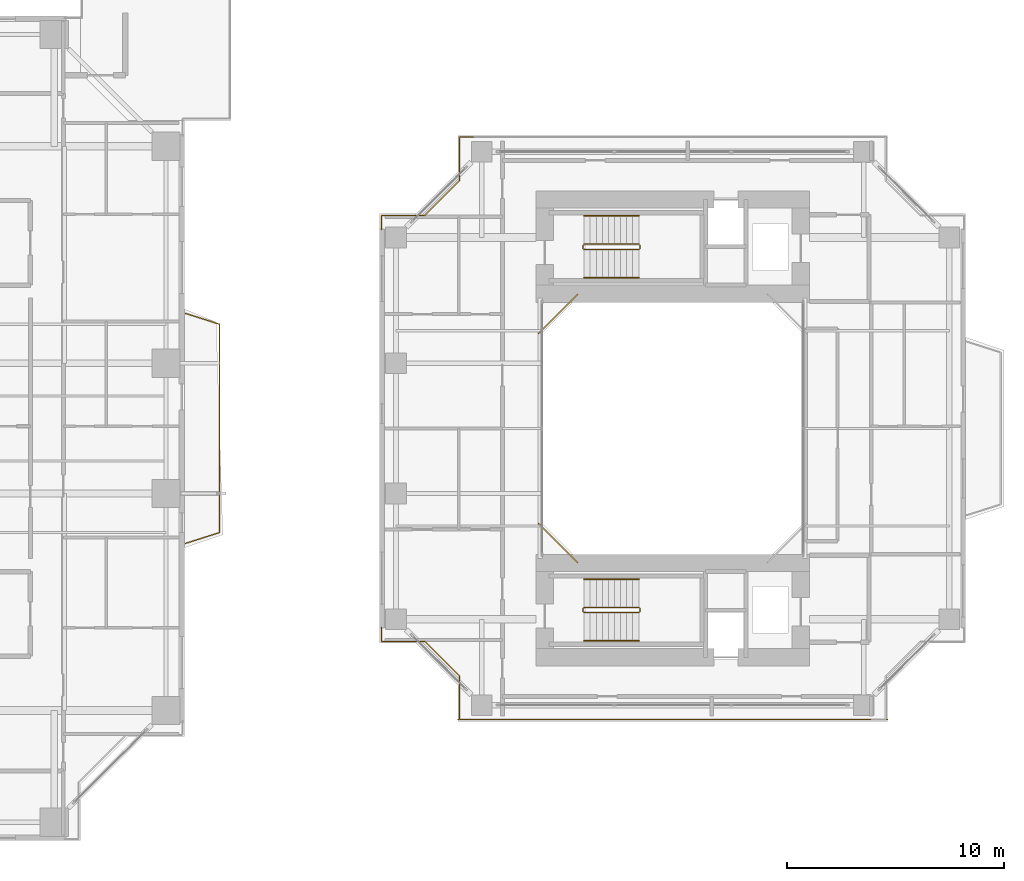
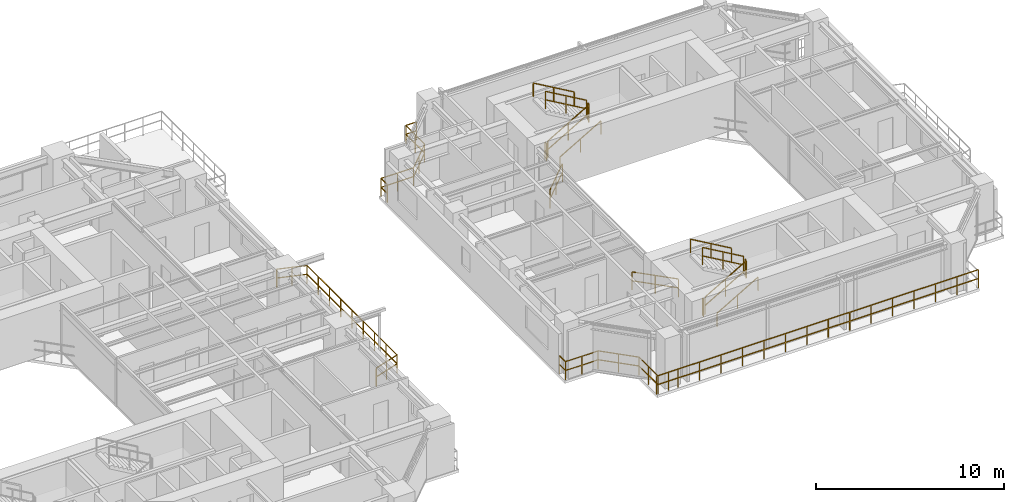
# One storey, part 22 of 23: 18 railings.
"""IFC4 building model written with IfcOpenShell, lengths in metres."""

from ifc_helpers import new_model, si_unit, direction, frame, origin, origin_2d, place, context, subcontext, project, spatial, rectangle, extrude, material, type_object, element, save


model = new_model("IFC4")

# Units and contexts
model_context = context("Model", 3, precision=1e-05, world=origin(), true_north=direction((0.0, 1.0)))
body_context = subcontext(model_context, "Body", "Model", "MODEL_VIEW")
ifc_project = project(units=[si_unit("LENGTHUNIT", "METRE"), si_unit("AREAUNIT", "SQUARE_METRE"), si_unit("VOLUMEUNIT", "CUBIC_METRE"), si_unit("PLANEANGLEUNIT", "RADIAN"), si_unit("MASSUNIT", "GRAM", prefix="KILO"), si_unit("THERMODYNAMICTEMPERATUREUNIT", "KELVIN"), si_unit("POWERUNIT", "WATT")], contexts=[model_context])

# Site, building, storey
site_placement = place(None, origin())
site = spatial("IfcSite", under=ifc_project, at=site_placement, CompositionType="ELEMENT")
building_placement = place(site_placement, origin())
building = spatial("IfcBuilding", under=site, at=building_placement, Name="Qiaomeng Ring Towers", CompositionType="ELEMENT")
storey_placement = place(building_placement, frame((0.0, 0.0, 32.75)))
storey = spatial("IfcBuildingStorey", under=building, at=storey_placement, Name="L08", CompositionType="ELEMENT", Elevation=32.75)

# Railings
ifc_material_1 = material(Name="Low-E pale-green laminated safety glass", Category="glass")
railing_type_1 = type_object("IfcRailingType", Name="ARC-RL-BAL1", PredefinedType="BALUSTRADE", material=ifc_material_1)
railing_1_placement = place(storey_placement, frame((38.050048828125, 17.699951171875, 0.0)))
element("IfcRailing", 1, at=railing_1_placement, inside=storey, type_object=railing_type_1, Name="L08 Balustrade ARC-BAL-L08-T1-E", PredefinedType="BALUSTRADE", context=body_context, shape_type="SweptSolid", body=[
    extrude(rectangle(XDim=0.048095703125, YDim=0.048095703125, at=origin_2d()), frame((0.0, 0.0, 1.17578125), z_axis=(0.952849860715, 0.303442157479, 0.0), x_axis=(-0.303442157479, 0.952849860715, 0.0)), (0.0, 0.0, 1.0), 1.647705078125),
    extrude(rectangle(XDim=0.048095703125, YDim=0.048095703125, at=origin_2d()), frame((0.0, 0.0, 0.60009765625), z_axis=(0.952849860715, 0.303442157479, 0.0), x_axis=(-0.303442157479, 0.952849860715, 0.0)), (0.0, 0.0, 1.0), 1.647705078125),
    extrude(rectangle(XDim=0.048095703125, YDim=0.048095703125, at=origin_2d()), frame((1.570068359375, 0.5, 1.17578125), z_axis=(0.0, 1.0, 0.0), x_axis=(-1.0, 0.0, 0.0)), (0.0, 0.0, 1.0), 9.60009765625),
    extrude(rectangle(XDim=0.048095703125, YDim=0.048095703125, at=origin_2d()), frame((1.570068359375, 0.5, 0.60009765625), z_axis=(0.0, 1.0, 0.0), x_axis=(-1.0, 0.0, 0.0)), (0.0, 0.0, 1.0), 9.60009765625),
    extrude(rectangle(XDim=0.048095703125, YDim=0.048095703125, at=origin_2d()), frame((1.570068359375, 10.10009765625, 1.17578125), z_axis=(-0.952849860715, 0.303442157479, 0.0), x_axis=(-0.303442157479, -0.952849860715, 0.0)), (0.0, 0.0, 1.0), 1.647705078125),
    extrude(rectangle(XDim=0.048095703125, YDim=0.048095703125, at=origin_2d()), frame((1.570068359375, 10.10009765625, 0.60009765625), z_axis=(-0.952849860715, 0.303442157479, 0.0), x_axis=(-0.303442157479, -0.952849860715, 0.0)), (0.0, 0.0, 1.0), 1.647705078125),
    extrude(rectangle(XDim=0.0419921875, YDim=0.0419921875, at=origin_2d()), origin(), (0.0, 0.0, 1.0), 1.15185546875),
    extrude(rectangle(XDim=0.0419921875, YDim=0.0419921875, at=origin_2d()), frame((0.78515625, 0.25, 0.0)), (0.0, 0.0, 1.0), 1.15185546875),
    extrude(rectangle(XDim=0.0419921875, YDim=0.0419921875, at=origin_2d()), frame((1.570068359375, 0.5, 0.0)), (0.0, 0.0, 1.0), 1.15185546875),
    extrude(rectangle(XDim=0.0419921875, YDim=0.0419921875, at=origin_2d()), frame((1.570068359375, 1.699951171875, 0.0)), (0.0, 0.0, 1.0), 1.15185546875),
    extrude(rectangle(XDim=0.0419921875, YDim=0.0419921875, at=origin_2d()), frame((1.570068359375, 2.89990234375, 0.0)), (0.0, 0.0, 1.0), 1.15185546875),
    extrude(rectangle(XDim=0.0419921875, YDim=0.0419921875, at=origin_2d()), frame((1.570068359375, 4.10009765625, 0.0)), (0.0, 0.0, 1.0), 1.15185546875),
    extrude(rectangle(XDim=0.0419921875, YDim=0.0419921875, at=origin_2d()), frame((1.570068359375, 5.300048828125, 0.0)), (0.0, 0.0, 1.0), 1.15185546875),
    extrude(rectangle(XDim=0.0419921875, YDim=0.0419921875, at=origin_2d()), frame((1.570068359375, 6.5, 0.0)), (0.0, 0.0, 1.0), 1.15185546875),
    extrude(rectangle(XDim=0.0419921875, YDim=0.0419921875, at=origin_2d()), frame((1.570068359375, 7.7001953125, 0.0)), (0.0, 0.0, 1.0), 1.15185546875),
    extrude(rectangle(XDim=0.0419921875, YDim=0.0419921875, at=origin_2d()), frame((1.570068359375, 8.900146484375, 0.0)), (0.0, 0.0, 1.0), 1.15185546875),
    extrude(rectangle(XDim=0.0419921875, YDim=0.0419921875, at=origin_2d()), frame((1.570068359375, 10.10009765625, 0.0)), (0.0, 0.0, 1.0), 1.15185546875),
    extrude(rectangle(XDim=0.0419921875, YDim=0.0419921875, at=origin_2d()), frame((0.78515625, 10.35009765625, 0.0)), (0.0, 0.0, 1.0), 1.15185546875),
    extrude(rectangle(XDim=0.0419921875, YDim=0.0419921875, at=origin_2d()), frame((0.0, 10.60009765625, 0.0)), (0.0, 0.0, 1.0), 1.15185546875),
])
railing_2_placement = place(storey_placement, frame((56.1201171875, 29.179931640625, 0.0)))
element("IfcRailing", 2, at=railing_2_placement, inside=storey, type_object=railing_type_1, Name="L08 Balustrade ARC-BAL-WELL2-L08-3", PredefinedType="BALUSTRADE", context=body_context, shape_type="SweptSolid", body=[
    extrude(rectangle(XDim=0.048095703125, YDim=0.048095703125, at=origin_2d()), frame((0.0, 0.0, 1.17578125), z_axis=(-0.707106781187, -0.707106781187, 0.0), x_axis=(0.707106781187, -0.707106781187, 0.0)), (0.0, 0.0, 1.0), 2.545654296875),
    extrude(rectangle(XDim=0.048095703125, YDim=0.048095703125, at=origin_2d()), frame((0.0, 0.0, 0.60009765625), z_axis=(-0.707106781187, -0.707106781187, 0.0), x_axis=(0.707106781187, -0.707106781187, 0.0)), (0.0, 0.0, 1.0), 2.545654296875),
    extrude(rectangle(XDim=0.0419921875, YDim=0.0419921875, at=origin_2d()), origin(), (0.0, 0.0, 1.0), 1.15185546875),
    extrude(rectangle(XDim=0.0419921875, YDim=0.0419921875, at=origin_2d()), frame((-0.89990234375, -0.89990234375, 0.0)), (0.0, 0.0, 1.0), 1.15185546875),
    extrude(rectangle(XDim=0.0419921875, YDim=0.0419921875, at=origin_2d()), frame((-1.800048828125, -1.800048828125, 0.0)), (0.0, 0.0, 1.0), 1.15185546875),
])
railing_3_placement = place(storey_placement, frame((54.320068359375, 18.6201171875, 0.0)))
element("IfcRailing", 3, at=railing_3_placement, inside=storey, type_object=railing_type_1, Name="L08 Balustrade ARC-BAL-WELL2-L08-4", PredefinedType="BALUSTRADE", context=body_context, shape_type="SweptSolid", body=[
    extrude(rectangle(XDim=0.048095703125, YDim=0.048095703125, at=origin_2d()), frame((0.0, 0.0, 1.17578125), z_axis=(0.707106781187, -0.707106781187, 0.0), x_axis=(0.707106781187, 0.707106781187, 0.0)), (0.0, 0.0, 1.0), 2.545654296875),
    extrude(rectangle(XDim=0.048095703125, YDim=0.048095703125, at=origin_2d()), frame((0.0, 0.0, 0.60009765625), z_axis=(0.707106781187, -0.707106781187, 0.0), x_axis=(0.707106781187, 0.707106781187, 0.0)), (0.0, 0.0, 1.0), 2.545654296875),
    extrude(rectangle(XDim=0.0419921875, YDim=0.0419921875, at=origin_2d()), origin(), (0.0, 0.0, 1.0), 1.15185546875),
    extrude(rectangle(XDim=0.0419921875, YDim=0.0419921875, at=origin_2d()), frame((0.89990234375, -0.89990234375, 0.0)), (0.0, 0.0, 1.0), 1.15185546875),
    extrude(rectangle(XDim=0.0419921875, YDim=0.0419921875, at=origin_2d()), frame((1.800048828125, -1.800048828125, 0.0)), (0.0, 0.0, 1.0), 1.15185546875),
])
railing_4_placement = place(storey_placement, frame((51.330078125, 36.419921875, 0.0)))
element("IfcRailing", 4, at=railing_4_placement, inside=storey, type_object=railing_type_1, Name="L08 Balustrade ARC-BAL-NOTCH2-L08-NW", PredefinedType="BALUSTRADE", context=body_context, shape_type="SweptSolid", body=[
    extrude(rectangle(XDim=0.048095703125, YDim=0.048095703125, at=origin_2d()), frame((0.0, 0.0, 1.17578125), z_axis=(-1.0, 0.0, 0.0), x_axis=(0.0, -1.0, 0.0)), (0.0, 0.0, 1.0), 0.650146484375),
    extrude(rectangle(XDim=0.048095703125, YDim=0.048095703125, at=origin_2d()), frame((0.0, 0.0, 0.60009765625), z_axis=(-1.0, 0.0, 0.0), x_axis=(0.0, -1.0, 0.0)), (0.0, 0.0, 1.0), 0.650146484375),
    extrude(rectangle(XDim=0.048095703125, YDim=0.048095703125, at=origin_2d()), frame((-0.650146484375, 0.0, 1.17578125), z_axis=(0.0, -1.0, 0.0), x_axis=(1.0, 0.0, 0.0)), (0.0, 0.0, 1.0), 2.0),
    extrude(rectangle(XDim=0.048095703125, YDim=0.048095703125, at=origin_2d()), frame((-0.650146484375, 0.0, 0.60009765625), z_axis=(0.0, -1.0, 0.0), x_axis=(1.0, 0.0, 0.0)), (0.0, 0.0, 1.0), 2.0),
    extrude(rectangle(XDim=0.048095703125, YDim=0.048095703125, at=origin_2d()), frame((-0.650146484375, -2.0, 1.17578125), z_axis=(-0.707106781187, -0.707106781187, 0.0), x_axis=(0.707106781187, -0.707106781187, 0.0)), (0.0, 0.0, 1.0), 2.262451171875),
    extrude(rectangle(XDim=0.048095703125, YDim=0.048095703125, at=origin_2d()), frame((-0.650146484375, -2.0, 0.60009765625), z_axis=(-0.707106781187, -0.707106781187, 0.0), x_axis=(0.707106781187, -0.707106781187, 0.0)), (0.0, 0.0, 1.0), 2.262451171875),
    extrude(rectangle(XDim=0.048095703125, YDim=0.048095703125, at=origin_2d()), frame((-2.25, -3.599853515625, 1.17578125), z_axis=(-1.0, 0.0, 0.0), x_axis=(0.0, -1.0, 0.0)), (0.0, 0.0, 1.0), 2.0),
    extrude(rectangle(XDim=0.048095703125, YDim=0.048095703125, at=origin_2d()), frame((-2.25, -3.599853515625, 0.60009765625), z_axis=(-1.0, 0.0, 0.0), x_axis=(0.0, -1.0, 0.0)), (0.0, 0.0, 1.0), 2.0),
    extrude(rectangle(XDim=0.048095703125, YDim=0.048095703125, at=origin_2d()), frame((-4.25, -3.599853515625, 1.17578125), z_axis=(0.0, -1.0, 0.0), x_axis=(1.0, 0.0, 0.0)), (0.0, 0.0, 1.0), 0.650146484375),
    extrude(rectangle(XDim=0.048095703125, YDim=0.048095703125, at=origin_2d()), frame((-4.25, -3.599853515625, 0.60009765625), z_axis=(0.0, -1.0, 0.0), x_axis=(1.0, 0.0, 0.0)), (0.0, 0.0, 1.0), 0.650146484375),
    extrude(rectangle(XDim=0.0419921875, YDim=0.0419921875, at=origin_2d()), origin(), (0.0, 0.0, 1.0), 1.15185546875),
    extrude(rectangle(XDim=0.0419921875, YDim=0.0419921875, at=origin_2d()), frame((-0.650146484375, 0.0, 0.0)), (0.0, 0.0, 1.0), 1.15185546875),
    extrude(rectangle(XDim=0.0419921875, YDim=0.0419921875, at=origin_2d()), frame((-0.650146484375, -1.0, 0.0)), (0.0, 0.0, 1.0), 1.15185546875),
    extrude(rectangle(XDim=0.0419921875, YDim=0.0419921875, at=origin_2d()), frame((-0.650146484375, -2.0, 0.0)), (0.0, 0.0, 1.0), 1.15185546875),
    extrude(rectangle(XDim=0.0419921875, YDim=0.0419921875, at=origin_2d()), frame((-1.4501953125, -2.7998046875, 0.0)), (0.0, 0.0, 1.0), 1.15185546875),
    extrude(rectangle(XDim=0.0419921875, YDim=0.0419921875, at=origin_2d()), frame((-2.25, -3.599853515625, 0.0)), (0.0, 0.0, 1.0), 1.15185546875),
    extrude(rectangle(XDim=0.0419921875, YDim=0.0419921875, at=origin_2d()), frame((-3.25, -3.599853515625, 0.0)), (0.0, 0.0, 1.0), 1.15185546875),
    extrude(rectangle(XDim=0.0419921875, YDim=0.0419921875, at=origin_2d()), frame((-4.25, -3.599853515625, 0.0)), (0.0, 0.0, 1.0), 1.15185546875),
    extrude(rectangle(XDim=0.0419921875, YDim=0.0419921875, at=origin_2d()), frame((-4.25, -4.25, 0.0)), (0.0, 0.0, 1.0), 1.15185546875),
])
railing_5_placement = place(storey_placement, frame((47.080078125, 13.830078125, 0.0)))
element("IfcRailing", 5, at=railing_5_placement, inside=storey, type_object=railing_type_1, Name="L08 Balustrade ARC-BAL-NOTCH2-L08-SW", PredefinedType="BALUSTRADE", context=body_context, shape_type="SweptSolid", body=[
    extrude(rectangle(XDim=0.048095703125, YDim=0.048095703125, at=origin_2d()), frame((0.0, 0.0, 1.17578125), z_axis=(0.0, -1.0, 0.0), x_axis=(1.0, 0.0, 0.0)), (0.0, 0.0, 1.0), 0.650146484375),
    extrude(rectangle(XDim=0.048095703125, YDim=0.048095703125, at=origin_2d()), frame((0.0, 0.0, 0.60009765625), z_axis=(0.0, -1.0, 0.0), x_axis=(1.0, 0.0, 0.0)), (0.0, 0.0, 1.0), 0.650146484375),
    extrude(rectangle(XDim=0.048095703125, YDim=0.048095703125, at=origin_2d()), frame((0.0, -0.650146484375, 1.17578125), z_axis=(1.0, 0.0, 0.0), x_axis=(0.0, 1.0, 0.0)), (0.0, 0.0, 1.0), 2.0),
    extrude(rectangle(XDim=0.048095703125, YDim=0.048095703125, at=origin_2d()), frame((0.0, -0.650146484375, 0.60009765625), z_axis=(1.0, 0.0, 0.0), x_axis=(0.0, 1.0, 0.0)), (0.0, 0.0, 1.0), 2.0),
    extrude(rectangle(XDim=0.048095703125, YDim=0.048095703125, at=origin_2d()), frame((2.0, -0.650146484375, 1.17578125), z_axis=(0.707106781187, -0.707106781187, 0.0), x_axis=(0.707106781187, 0.707106781187, 0.0)), (0.0, 0.0, 1.0), 2.262451171875),
    extrude(rectangle(XDim=0.048095703125, YDim=0.048095703125, at=origin_2d()), frame((2.0, -0.650146484375, 0.60009765625), z_axis=(0.707106781187, -0.707106781187, 0.0), x_axis=(0.707106781187, 0.707106781187, 0.0)), (0.0, 0.0, 1.0), 2.262451171875),
    extrude(rectangle(XDim=0.048095703125, YDim=0.048095703125, at=origin_2d()), frame((3.599853515625, -2.25, 1.17578125), z_axis=(0.0, -1.0, 0.0), x_axis=(1.0, 0.0, 0.0)), (0.0, 0.0, 1.0), 2.0),
    extrude(rectangle(XDim=0.048095703125, YDim=0.048095703125, at=origin_2d()), frame((3.599853515625, -2.25, 0.60009765625), z_axis=(0.0, -1.0, 0.0), x_axis=(1.0, 0.0, 0.0)), (0.0, 0.0, 1.0), 2.0),
    extrude(rectangle(XDim=0.048095703125, YDim=0.048095703125, at=origin_2d()), frame((3.599853515625, -4.25, 1.17578125), z_axis=(1.0, 0.0, 0.0), x_axis=(0.0, 1.0, 0.0)), (0.0, 0.0, 1.0), 0.650146484375),
    extrude(rectangle(XDim=0.048095703125, YDim=0.048095703125, at=origin_2d()), frame((3.599853515625, -4.25, 0.60009765625), z_axis=(1.0, 0.0, 0.0), x_axis=(0.0, 1.0, 0.0)), (0.0, 0.0, 1.0), 0.650146484375),
    extrude(rectangle(XDim=0.0419921875, YDim=0.0419921875, at=origin_2d()), origin(), (0.0, 0.0, 1.0), 1.15185546875),
    extrude(rectangle(XDim=0.0419921875, YDim=0.0419921875, at=origin_2d()), frame((0.0, -0.650146484375, 0.0)), (0.0, 0.0, 1.0), 1.15185546875),
    extrude(rectangle(XDim=0.0419921875, YDim=0.0419921875, at=origin_2d()), frame((1.0, -0.650146484375, 0.0)), (0.0, 0.0, 1.0), 1.15185546875),
    extrude(rectangle(XDim=0.0419921875, YDim=0.0419921875, at=origin_2d()), frame((2.0, -0.650146484375, 0.0)), (0.0, 0.0, 1.0), 1.15185546875),
    extrude(rectangle(XDim=0.0419921875, YDim=0.0419921875, at=origin_2d()), frame((2.7998046875, -1.4501953125, 0.0)), (0.0, 0.0, 1.0), 1.15185546875),
    extrude(rectangle(XDim=0.0419921875, YDim=0.0419921875, at=origin_2d()), frame((3.599853515625, -2.25, 0.0)), (0.0, 0.0, 1.0), 1.15185546875),
    extrude(rectangle(XDim=0.0419921875, YDim=0.0419921875, at=origin_2d()), frame((3.599853515625, -3.25, 0.0)), (0.0, 0.0, 1.0), 1.15185546875),
    extrude(rectangle(XDim=0.0419921875, YDim=0.0419921875, at=origin_2d()), frame((3.599853515625, -4.25, 0.0)), (0.0, 0.0, 1.0), 1.15185546875),
    extrude(rectangle(XDim=0.0419921875, YDim=0.0419921875, at=origin_2d()), frame((4.25, -4.25, 0.0)), (0.0, 0.0, 1.0), 1.15185546875),
])
railing_6_placement = place(storey_placement, frame((50.60009765625, 9.580078125, 0.0)))
element("IfcRailing", 6, at=railing_6_placement, inside=storey, type_object=railing_type_1, Name="L08 Balustrade ARC-BAL-T2S-L08", PredefinedType="BALUSTRADE", context=body_context, shape_type="SweptSolid", body=[
    extrude(rectangle(XDim=0.048095703125, YDim=0.048095703125, at=origin_2d()), frame((0.0, 0.0, 1.17578125), z_axis=(1.0, 0.0, 0.0), x_axis=(0.0, 1.0, 0.0)), (0.0, 0.0, 1.0), 19.7998046875),
    extrude(rectangle(XDim=0.048095703125, YDim=0.048095703125, at=origin_2d()), frame((0.0, 0.0, 0.60009765625), z_axis=(1.0, 0.0, 0.0), x_axis=(0.0, 1.0, 0.0)), (0.0, 0.0, 1.0), 19.7998046875),
    extrude(rectangle(XDim=0.0419921875, YDim=0.0419921875, at=origin_2d()), origin(), (0.0, 0.0, 1.0), 1.15185546875),
    extrude(rectangle(XDim=0.0419921875, YDim=0.0419921875, at=origin_2d()), frame((1.320068359375, 0.0, 0.0)), (0.0, 0.0, 1.0), 1.15185546875),
    extrude(rectangle(XDim=0.0419921875, YDim=0.0419921875, at=origin_2d()), frame((2.639892578125, 0.0, 0.0)), (0.0, 0.0, 1.0), 1.15185546875),
    extrude(rectangle(XDim=0.0419921875, YDim=0.0419921875, at=origin_2d()), frame((3.9599609375, 0.0, 0.0)), (0.0, 0.0, 1.0), 1.15185546875),
    extrude(rectangle(XDim=0.0419921875, YDim=0.0419921875, at=origin_2d()), frame((5.280029296875, 0.0, 0.0)), (0.0, 0.0, 1.0), 1.15185546875),
    extrude(rectangle(XDim=0.0419921875, YDim=0.0419921875, at=origin_2d()), frame((6.599853515625, 0.0, 0.0)), (0.0, 0.0, 1.0), 1.15185546875),
    extrude(rectangle(XDim=0.0419921875, YDim=0.0419921875, at=origin_2d()), frame((7.919921875, 0.0, 0.0)), (0.0, 0.0, 1.0), 1.15185546875),
    extrude(rectangle(XDim=0.0419921875, YDim=0.0419921875, at=origin_2d()), frame((9.239990234375, 0.0, 0.0)), (0.0, 0.0, 1.0), 1.15185546875),
    extrude(rectangle(XDim=0.0419921875, YDim=0.0419921875, at=origin_2d()), frame((10.559814453125, 0.0, 0.0)), (0.0, 0.0, 1.0), 1.15185546875),
    extrude(rectangle(XDim=0.0419921875, YDim=0.0419921875, at=origin_2d()), frame((11.8798828125, 0.0, 0.0)), (0.0, 0.0, 1.0), 1.15185546875),
    extrude(rectangle(XDim=0.0419921875, YDim=0.0419921875, at=origin_2d()), frame((13.199951171875, 0.0, 0.0)), (0.0, 0.0, 1.0), 1.15185546875),
    extrude(rectangle(XDim=0.0419921875, YDim=0.0419921875, at=origin_2d()), frame((14.519775390625, 0.0, 0.0)), (0.0, 0.0, 1.0), 1.15185546875),
    extrude(rectangle(XDim=0.0419921875, YDim=0.0419921875, at=origin_2d()), frame((15.83984375, 0.0, 0.0)), (0.0, 0.0, 1.0), 1.15185546875),
    extrude(rectangle(XDim=0.0419921875, YDim=0.0419921875, at=origin_2d()), frame((17.159912109375, 0.0, 0.0)), (0.0, 0.0, 1.0), 1.15185546875),
    extrude(rectangle(XDim=0.0419921875, YDim=0.0419921875, at=origin_2d()), frame((18.479736328125, 0.0, 0.0)), (0.0, 0.0, 1.0), 1.15185546875),
    extrude(rectangle(XDim=0.0419921875, YDim=0.0419921875, at=origin_2d()), frame((19.7998046875, 0.0, 0.0)), (0.0, 0.0, 1.0), 1.15185546875),
])
ifc_material_2 = material(Name="Galvanised steel", Category="steel")
railing_type_2 = type_object("IfcRailingType", Name="ARC-RL-GUARD", PredefinedType="GUARDRAIL", material=ifc_material_2)
railing_7_placement = place(storey_placement, frame((56.419921875, 31.25, 0.16259765625)))
element("IfcRailing", 7, at=railing_7_placement, inside=storey, type_object=railing_type_2, Name="L08 ST5 stair guard 1", PredefinedType="GUARDRAIL", context=body_context, shape_type="SweptSolid", body=[
    extrude(rectangle(XDim=0.048095703125, YDim=0.048095703125, at=origin_2d()), frame((0.0, 0.0, 1.1259765625), z_axis=(0.864913338283, 0.0, 0.50192122615), x_axis=(0.0, 1.0, 0.0)), (0.0, 0.0, 1.0), 2.91357421875),
    extrude(rectangle(XDim=0.048095703125, YDim=0.048095703125, at=origin_2d()), frame((0.0, 0.0, 0.574951171875), z_axis=(0.864913338283, 0.0, 0.50192122615), x_axis=(0.0, 1.0, 0.0)), (0.0, 0.0, 1.0), 2.91357421875),
    extrude(rectangle(XDim=0.0419921875, YDim=0.0419921875, at=origin_2d()), origin(), (0.0, 0.0, 1.0), 1.101806640625),
    extrude(rectangle(XDim=0.0419921875, YDim=0.0419921875, at=origin_2d()), frame((1.260009765625, 0.0, 0.731201171875)), (0.0, 0.0, 1.0), 1.101806640625),
    extrude(rectangle(XDim=0.0419921875, YDim=0.0419921875, at=origin_2d()), frame((2.52001953125, 0.0, 1.46240234375)), (0.0, 0.0, 1.0), 1.101806640625),
])
railing_8_placement = place(storey_placement, frame((58.989990234375, 31.300048828125, 1.625)))
element("IfcRailing", 8, at=railing_8_placement, inside=storey, type_object=railing_type_2, Name="L08 ST5 stair guard 2", PredefinedType="GUARDRAIL", context=body_context, shape_type="SweptSolid", body=[
    extrude(rectangle(XDim=0.048095703125, YDim=0.048095703125, at=origin_2d()), frame((0.0, 0.0, 1.1259765625), z_axis=(0.0, 1.0, 0.0), x_axis=(-1.0, 0.0, 0.0)), (0.0, 0.0, 1.0), 0.139892578125),
    extrude(rectangle(XDim=0.048095703125, YDim=0.048095703125, at=origin_2d()), frame((0.0, 0.0, 0.574951171875), z_axis=(0.0, 1.0, 0.0), x_axis=(-1.0, 0.0, 0.0)), (0.0, 0.0, 1.0), 0.139892578125),
    extrude(rectangle(XDim=0.0419921875, YDim=0.0419921875, at=origin_2d()), origin(), (0.0, 0.0, 1.0), 1.101806640625),
    extrude(rectangle(XDim=0.0419921875, YDim=0.0419921875, at=origin_2d()), frame((0.0, 0.139892578125, 0.0)), (0.0, 0.0, 1.0), 1.101806640625),
])
railing_9_placement = place(storey_placement, frame((58.93994140625, 31.489990234375, 1.78759765625)))
element("IfcRailing", 9, at=railing_9_placement, inside=storey, type_object=railing_type_2, Name="L08 ST5 stair guard 3", PredefinedType="GUARDRAIL", context=body_context, shape_type="SweptSolid", body=[
    extrude(rectangle(XDim=0.048095703125, YDim=0.048095703125, at=origin_2d()), frame((0.0, 0.0, 1.1259765625), z_axis=(-0.864913338283, 0.0, 0.50192122615), x_axis=(0.0, -1.0, 0.0)), (0.0, 0.0, 1.0), 2.91357421875),
    extrude(rectangle(XDim=0.048095703125, YDim=0.048095703125, at=origin_2d()), frame((0.0, 0.0, 0.574951171875), z_axis=(-0.864913338283, 0.0, 0.50192122615), x_axis=(0.0, -1.0, 0.0)), (0.0, 0.0, 1.0), 2.91357421875),
    extrude(rectangle(XDim=0.0419921875, YDim=0.0419921875, at=origin_2d()), origin(), (0.0, 0.0, 1.0), 1.101806640625),
    extrude(rectangle(XDim=0.0419921875, YDim=0.0419921875, at=origin_2d()), frame((-1.260009765625, 0.0, 0.731201171875)), (0.0, 0.0, 1.0), 1.101806640625),
    extrude(rectangle(XDim=0.0419921875, YDim=0.0419921875, at=origin_2d()), frame((-2.52001953125, 0.0, 1.46240234375)), (0.0, 0.0, 1.0), 1.101806640625),
])
railing_10_placement = place(storey_placement, frame((56.3701171875, 31.300048828125, 0.0)))
element("IfcRailing", 10, at=railing_10_placement, inside=storey, type_object=railing_type_2, Name="L08 ST5 stair guard 4", PredefinedType="GUARDRAIL", context=body_context, shape_type="SweptSolid", body=[
    extrude(rectangle(XDim=0.048095703125, YDim=0.048095703125, at=origin_2d()), frame((0.0, 0.0, 1.1259765625), z_axis=(0.0, 1.0, 0.0), x_axis=(-1.0, 0.0, 0.0)), (0.0, 0.0, 1.0), 0.139892578125),
    extrude(rectangle(XDim=0.048095703125, YDim=0.048095703125, at=origin_2d()), frame((0.0, 0.0, 0.574951171875), z_axis=(0.0, 1.0, 0.0), x_axis=(-1.0, 0.0, 0.0)), (0.0, 0.0, 1.0), 0.139892578125),
    extrude(rectangle(XDim=0.0419921875, YDim=0.0419921875, at=origin_2d()), origin(), (0.0, 0.0, 1.0), 1.101806640625),
    extrude(rectangle(XDim=0.0419921875, YDim=0.0419921875, at=origin_2d()), frame((0.0, 0.139892578125, 0.0)), (0.0, 0.0, 1.0), 1.101806640625),
])
railing_11_placement = place(storey_placement, frame((56.419921875, 14.510009765625, 0.16259765625)))
element("IfcRailing", 11, at=railing_11_placement, inside=storey, type_object=railing_type_2, Name="L08 ST6 stair guard 1", PredefinedType="GUARDRAIL", context=body_context, shape_type="SweptSolid", body=[
    extrude(rectangle(XDim=0.048095703125, YDim=0.048095703125, at=origin_2d()), frame((0.0, 0.0, 1.1259765625), z_axis=(0.864913338283, 0.0, 0.50192122615), x_axis=(0.0, 1.0, 0.0)), (0.0, 0.0, 1.0), 2.91357421875),
    extrude(rectangle(XDim=0.048095703125, YDim=0.048095703125, at=origin_2d()), frame((0.0, 0.0, 0.574951171875), z_axis=(0.864913338283, 0.0, 0.50192122615), x_axis=(0.0, 1.0, 0.0)), (0.0, 0.0, 1.0), 2.91357421875),
    extrude(rectangle(XDim=0.0419921875, YDim=0.0419921875, at=origin_2d()), origin(), (0.0, 0.0, 1.0), 1.101806640625),
    extrude(rectangle(XDim=0.0419921875, YDim=0.0419921875, at=origin_2d()), frame((1.260009765625, 0.0, 0.731201171875)), (0.0, 0.0, 1.0), 1.101806640625),
    extrude(rectangle(XDim=0.0419921875, YDim=0.0419921875, at=origin_2d()), frame((2.52001953125, 0.0, 1.46240234375)), (0.0, 0.0, 1.0), 1.101806640625),
])
railing_12_placement = place(storey_placement, frame((58.989990234375, 14.56005859375, 1.625)))
element("IfcRailing", 12, at=railing_12_placement, inside=storey, type_object=railing_type_2, Name="L08 ST6 stair guard 2", PredefinedType="GUARDRAIL", context=body_context, shape_type="SweptSolid", body=[
    extrude(rectangle(XDim=0.048095703125, YDim=0.048095703125, at=origin_2d()), frame((0.0, 0.0, 1.1259765625), z_axis=(0.0, 1.0, 0.0), x_axis=(-1.0, 0.0, 0.0)), (0.0, 0.0, 1.0), 0.139892578125),
    extrude(rectangle(XDim=0.048095703125, YDim=0.048095703125, at=origin_2d()), frame((0.0, 0.0, 0.574951171875), z_axis=(0.0, 1.0, 0.0), x_axis=(-1.0, 0.0, 0.0)), (0.0, 0.0, 1.0), 0.139892578125),
    extrude(rectangle(XDim=0.0419921875, YDim=0.0419921875, at=origin_2d()), origin(), (0.0, 0.0, 1.0), 1.101806640625),
    extrude(rectangle(XDim=0.0419921875, YDim=0.0419921875, at=origin_2d()), frame((0.0, 0.139892578125, 0.0)), (0.0, 0.0, 1.0), 1.101806640625),
])
railing_13_placement = place(storey_placement, frame((58.93994140625, 14.75, 1.78759765625)))
element("IfcRailing", 13, at=railing_13_placement, inside=storey, type_object=railing_type_2, Name="L08 ST6 stair guard 3", PredefinedType="GUARDRAIL", context=body_context, shape_type="SweptSolid", body=[
    extrude(rectangle(XDim=0.048095703125, YDim=0.048095703125, at=origin_2d()), frame((0.0, 0.0, 1.1259765625), z_axis=(-0.864913338283, 0.0, 0.50192122615), x_axis=(0.0, -1.0, 0.0)), (0.0, 0.0, 1.0), 2.91357421875),
    extrude(rectangle(XDim=0.048095703125, YDim=0.048095703125, at=origin_2d()), frame((0.0, 0.0, 0.574951171875), z_axis=(-0.864913338283, 0.0, 0.50192122615), x_axis=(0.0, -1.0, 0.0)), (0.0, 0.0, 1.0), 2.91357421875),
    extrude(rectangle(XDim=0.0419921875, YDim=0.0419921875, at=origin_2d()), origin(), (0.0, 0.0, 1.0), 1.101806640625),
    extrude(rectangle(XDim=0.0419921875, YDim=0.0419921875, at=origin_2d()), frame((-1.260009765625, 0.0, 0.731201171875)), (0.0, 0.0, 1.0), 1.101806640625),
    extrude(rectangle(XDim=0.0419921875, YDim=0.0419921875, at=origin_2d()), frame((-2.52001953125, 0.0, 1.46240234375)), (0.0, 0.0, 1.0), 1.101806640625),
])
railing_14_placement = place(storey_placement, frame((56.3701171875, 14.56005859375, 0.0)))
element("IfcRailing", 14, at=railing_14_placement, inside=storey, type_object=railing_type_2, Name="L08 ST6 stair guard 4", PredefinedType="GUARDRAIL", context=body_context, shape_type="SweptSolid", body=[
    extrude(rectangle(XDim=0.048095703125, YDim=0.048095703125, at=origin_2d()), frame((0.0, 0.0, 1.1259765625), z_axis=(0.0, 1.0, 0.0), x_axis=(-1.0, 0.0, 0.0)), (0.0, 0.0, 1.0), 0.139892578125),
    extrude(rectangle(XDim=0.048095703125, YDim=0.048095703125, at=origin_2d()), frame((0.0, 0.0, 0.574951171875), z_axis=(0.0, 1.0, 0.0), x_axis=(-1.0, 0.0, 0.0)), (0.0, 0.0, 1.0), 0.139892578125),
    extrude(rectangle(XDim=0.0419921875, YDim=0.0419921875, at=origin_2d()), origin(), (0.0, 0.0, 1.0), 1.101806640625),
    extrude(rectangle(XDim=0.0419921875, YDim=0.0419921875, at=origin_2d()), frame((0.0, 0.139892578125, 0.0)), (0.0, 0.0, 1.0), 1.101806640625),
])
ifc_material_3 = material(Name="Stainless steel 316", Category="steel")
railing_type_3 = type_object("IfcRailingType", Name="ARC-RL-HAND", PredefinedType="HANDRAIL", material=ifc_material_3)
railing_15_placement = place(storey_placement, frame((56.419921875, 29.949951171875, 0.16259765625)))
element("IfcRailing", 15, at=railing_15_placement, inside=storey, type_object=railing_type_3, Name="L08 ST5 stair handrail 1", PredefinedType="HANDRAIL", context=body_context, shape_type="SweptSolid", body=[
    extrude(rectangle(XDim=0.048095703125, YDim=0.048095703125, at=origin_2d()), frame((0.0, 0.0, 0.8759765625), z_axis=(0.864913338283, 0.0, 0.50192122615), x_axis=(0.0, 1.0, 0.0)), (0.0, 0.0, 1.0), 2.91357421875),
    extrude(rectangle(XDim=0.0419921875, YDim=0.0419921875, at=origin_2d()), origin(), (0.0, 0.0, 1.0), 0.851806640625),
    extrude(rectangle(XDim=0.0419921875, YDim=0.0419921875, at=origin_2d()), frame((1.260009765625, 0.0, 0.731201171875)), (0.0, 0.0, 1.0), 0.851806640625),
    extrude(rectangle(XDim=0.0419921875, YDim=0.0419921875, at=origin_2d()), frame((2.52001953125, 0.0, 1.46240234375)), (0.0, 0.0, 1.0), 0.851806640625),
])
railing_16_placement = place(storey_placement, frame((58.93994140625, 32.7900390625, 1.78759765625)))
element("IfcRailing", 16, at=railing_16_placement, inside=storey, type_object=railing_type_3, Name="L08 ST5 stair handrail 2", PredefinedType="HANDRAIL", context=body_context, shape_type="SweptSolid", body=[
    extrude(rectangle(XDim=0.048095703125, YDim=0.048095703125, at=origin_2d()), frame((0.0, 0.0, 0.8759765625), z_axis=(-0.864913338283, 0.0, 0.50192122615), x_axis=(0.0, -1.0, 0.0)), (0.0, 0.0, 1.0), 2.91357421875),
    extrude(rectangle(XDim=0.0419921875, YDim=0.0419921875, at=origin_2d()), origin(), (0.0, 0.0, 1.0), 0.851806640625),
    extrude(rectangle(XDim=0.0419921875, YDim=0.0419921875, at=origin_2d()), frame((-1.260009765625, 0.0, 0.731201171875)), (0.0, 0.0, 1.0), 0.851806640625),
    extrude(rectangle(XDim=0.0419921875, YDim=0.0419921875, at=origin_2d()), frame((-2.52001953125, 0.0, 1.46240234375)), (0.0, 0.0, 1.0), 0.851806640625),
])
railing_17_placement = place(storey_placement, frame((56.419921875, 13.2099609375, 0.16259765625)))
element("IfcRailing", 17, at=railing_17_placement, inside=storey, type_object=railing_type_3, Name="L08 ST6 stair handrail 1", PredefinedType="HANDRAIL", context=body_context, shape_type="SweptSolid", body=[
    extrude(rectangle(XDim=0.048095703125, YDim=0.048095703125, at=origin_2d()), frame((0.0, 0.0, 0.8759765625), z_axis=(0.864913338283, 0.0, 0.50192122615), x_axis=(0.0, 1.0, 0.0)), (0.0, 0.0, 1.0), 2.91357421875),
    extrude(rectangle(XDim=0.0419921875, YDim=0.0419921875, at=origin_2d()), origin(), (0.0, 0.0, 1.0), 0.851806640625),
    extrude(rectangle(XDim=0.0419921875, YDim=0.0419921875, at=origin_2d()), frame((1.260009765625, 0.0, 0.731201171875)), (0.0, 0.0, 1.0), 0.851806640625),
    extrude(rectangle(XDim=0.0419921875, YDim=0.0419921875, at=origin_2d()), frame((2.52001953125, 0.0, 1.46240234375)), (0.0, 0.0, 1.0), 0.851806640625),
])
railing_18_placement = place(storey_placement, frame((58.93994140625, 16.050048828125, 1.78759765625)))
element("IfcRailing", 18, at=railing_18_placement, inside=storey, type_object=railing_type_3, Name="L08 ST6 stair handrail 2", PredefinedType="HANDRAIL", context=body_context, shape_type="SweptSolid", body=[
    extrude(rectangle(XDim=0.048095703125, YDim=0.048095703125, at=origin_2d()), frame((0.0, 0.0, 0.8759765625), z_axis=(-0.864913338283, 0.0, 0.50192122615), x_axis=(0.0, -1.0, 0.0)), (0.0, 0.0, 1.0), 2.91357421875),
    extrude(rectangle(XDim=0.0419921875, YDim=0.0419921875, at=origin_2d()), origin(), (0.0, 0.0, 1.0), 0.851806640625),
    extrude(rectangle(XDim=0.0419921875, YDim=0.0419921875, at=origin_2d()), frame((-1.260009765625, 0.0, 0.731201171875)), (0.0, 0.0, 1.0), 0.851806640625),
    extrude(rectangle(XDim=0.0419921875, YDim=0.0419921875, at=origin_2d()), frame((-2.52001953125, 0.0, 1.46240234375)), (0.0, 0.0, 1.0), 0.851806640625),
])

save(model, "model.ifc")
